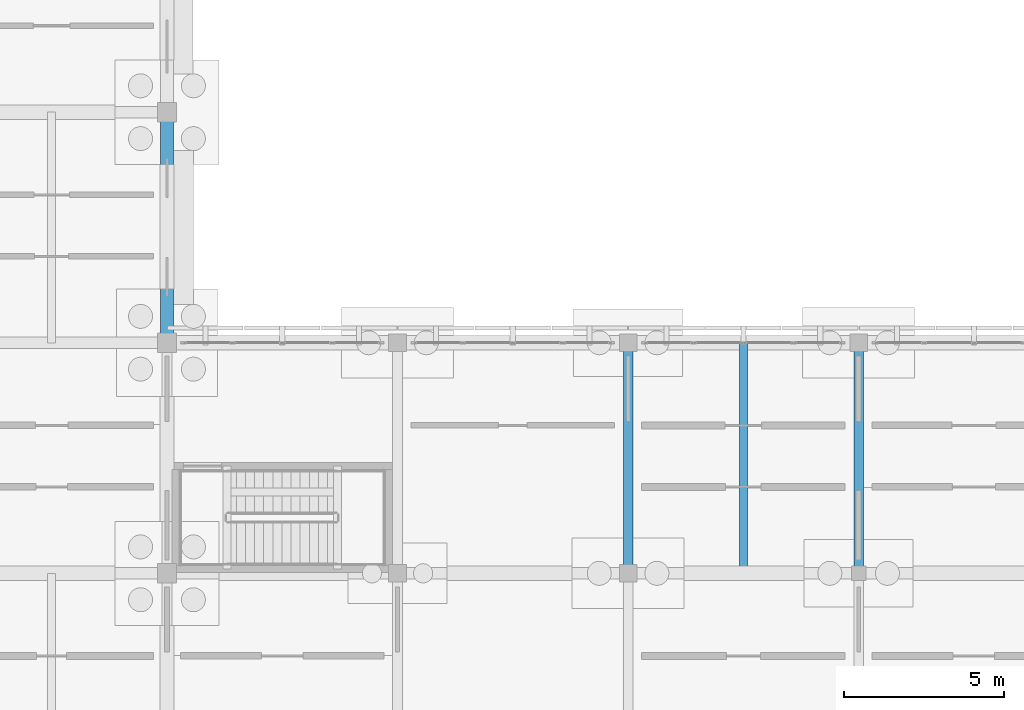
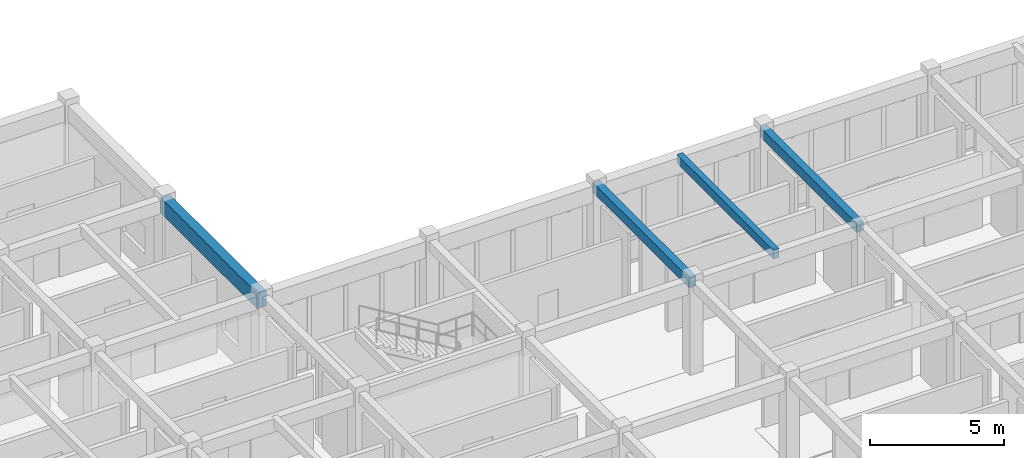
# One storey, part 30 of 111: 4 beams.
"""IFC4 building model written with IfcOpenShell, lengths in metres."""

from ifc_helpers import new_model, si_unit, direction, frame, origin, origin_2d, place, context, subcontext, project, spatial, rectangle, extrude, material, material_profile, profile_set, type_object, element, save


model = new_model("IFC4")

# Units and contexts
model_context = context("Model", 3, precision=1e-05, world=origin(), true_north=direction((0.0, 1.0)))
body_context = subcontext(model_context, "Body", "Model", "MODEL_VIEW")
ifc_project = project(units=[si_unit("LENGTHUNIT", "METRE"), si_unit("AREAUNIT", "SQUARE_METRE"), si_unit("VOLUMEUNIT", "CUBIC_METRE"), si_unit("PLANEANGLEUNIT", "RADIAN"), si_unit("MASSUNIT", "GRAM", prefix="KILO")], contexts=[model_context])

# Site, building, storey
site_placement = place(None, origin())
site = spatial("IfcSite", under=ifc_project, at=site_placement, CompositionType="ELEMENT")
building_placement = place(site_placement, origin())
building = spatial("IfcBuilding", under=site, at=building_placement, Name="Aldebral Square Health Centre", CompositionType="ELEMENT")
storey_placement = place(building_placement, origin())
storey = spatial("IfcBuildingStorey", under=building, at=storey_placement, Name="L00", CompositionType="ELEMENT", Elevation=0.0)

# Beams
ifc_material = material(Name="Concrete C40/50", Category="concrete")
ifc_material_profile_1 = material_profile(ifc_material, rectangle(XDim=0.300048828125, YDim=0.449951171875, at=origin_2d()), Name="RC 300x450")
ifc_profile_set_1 = profile_set([ifc_material_profile_1], Name="Concrete C40/50")
beam_type_1 = type_object("IfcBeamType", Name="BM-B5", PredefinedType="BEAM", material=ifc_profile_set_1)
for number, where, z_axis, x_axis, name in (
    (1, (79.199951171875, 93.60009765625, 3.9951171875), (0.0, 1.0, 0.0), (-1.0, 0.0, 0.0), "L00 Y-beam G12/14-15"),
    (2, (86.39990234375, 93.60009765625, 3.9951171875), (0.0, 1.0, 0.0), (-1.0, 0.0, 0.0), "L00 Y-beam G13/14-15"),
):
    element("IfcBeam", number, at=place(storey_placement, frame(where, z_axis=z_axis, x_axis=x_axis)), inside=storey, type_object=beam_type_1, Name=name, PredefinedType="BEAM", context=body_context, shape_type="SweptSolid", body=[
        extrude(rectangle(XDim=0.300048828125, YDim=0.449951171875, at=origin_2d()), origin(), (0.0, 0.0, 1.0), 7.199951171875),
    ])
ifc_material_profile_2 = material_profile(ifc_material, rectangle(XDim=0.25, YDim=0.39990234375, at=origin_2d()), Name="RC 250x400")
ifc_profile_set_2 = profile_set([ifc_material_profile_2], Name="Concrete C40/50")
beam_type_2 = type_object("IfcBeamType", Name="BM-B6", PredefinedType="JOIST", material=ifc_profile_set_2)
beam_1_placement = place(storey_placement, frame((82.800048828125, 93.60009765625, 4.02001953125), z_axis=(0.0, 1.0, 0.0), x_axis=(-1.0, 0.0, 0.0)))
element("IfcBeam", 3, at=beam_1_placement, inside=storey, type_object=beam_type_2, Name="L00 secondary rib 12.14", PredefinedType="JOIST", context=body_context, shape_type="SweptSolid", body=[
    extrude(rectangle(XDim=0.25, YDim=0.39990234375, at=origin_2d()), origin(), (0.0, 0.0, 1.0), 7.199951171875),
])
ifc_material_profile_3 = material_profile(ifc_material, rectangle(XDim=0.39990234375, YDim=0.699951171875, at=origin_2d()), Name="RC 400x700")
ifc_profile_set_3 = profile_set([ifc_material_profile_3], Name="Concrete C40/50")
beam_type_3 = type_object("IfcBeamType", Name="BM-G3", PredefinedType="T_BEAM", material=ifc_profile_set_3)
beam_2_placement = place(storey_placement, frame((64.800048828125, 100.800048828125, 3.8701171875), z_axis=(0.0, 1.0, 0.0), x_axis=(-1.0, 0.0, 0.0)))
element("IfcBeam", 4, at=beam_2_placement, inside=storey, type_object=beam_type_3, Name="L00 Y-beam G10/15-16", PredefinedType="T_BEAM", context=body_context, shape_type="SweptSolid", body=[
    extrude(rectangle(XDim=0.39990234375, YDim=0.699951171875, at=origin_2d()), origin(), (0.0, 0.0, 1.0), 7.199951171875),
])

save(model, "model.ifc")
